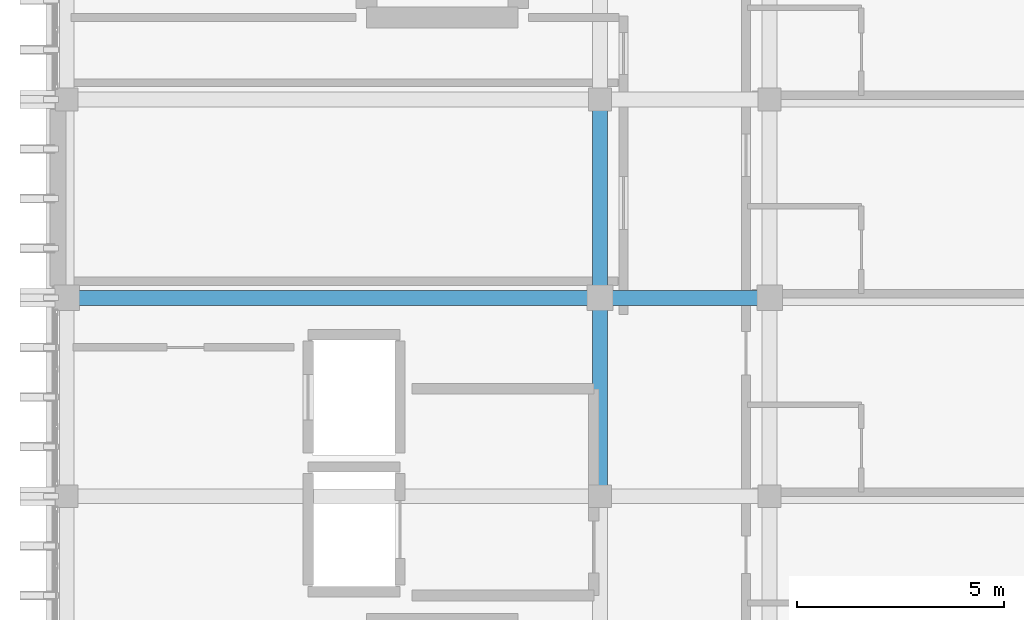
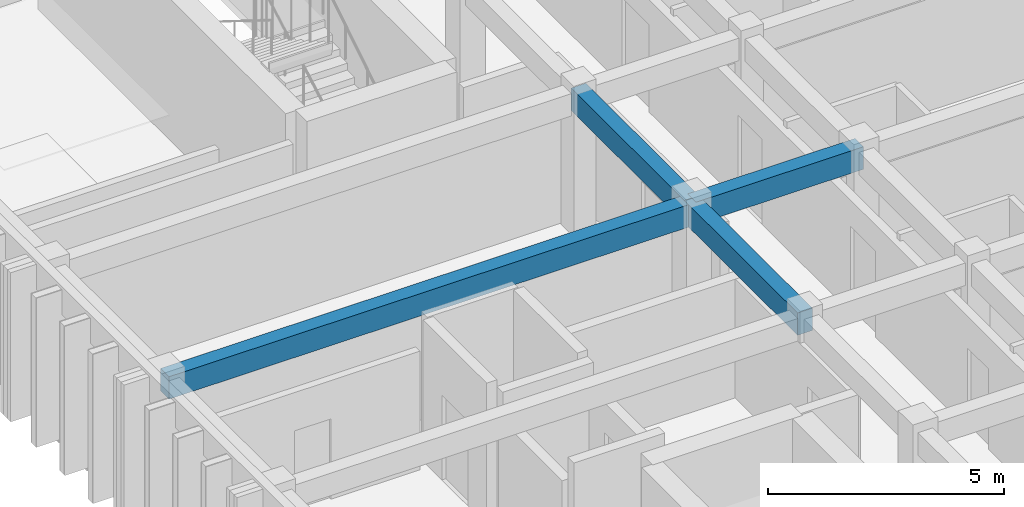
# One storey, part 20 of 50: 4 beams.
"""IFC4 building model written with IfcOpenShell, lengths in metres."""

from ifc_helpers import new_model, si_unit, direction, frame, origin, origin_2d, place, context, subcontext, project, spatial, rectangle, extrude, material, material_profile, profile_set, type_object, element, save


model = new_model("IFC4")

# Units and contexts
model_context = context("Model", 3, precision=1e-05, world=origin(), true_north=direction((0.0, 1.0)))
body_context = subcontext(model_context, "Body", "Model", "MODEL_VIEW")
ifc_project = project(units=[si_unit("LENGTHUNIT", "METRE"), si_unit("AREAUNIT", "SQUARE_METRE"), si_unit("VOLUMEUNIT", "CUBIC_METRE"), si_unit("PLANEANGLEUNIT", "RADIAN"), si_unit("MASSUNIT", "GRAM", prefix="KILO")], contexts=[model_context])

# Site, building, storey
site_placement = place(None, origin())
site = spatial("IfcSite", under=ifc_project, at=site_placement, CompositionType="ELEMENT")
building_placement = place(site_placement, origin())
building = spatial("IfcBuilding", under=site, at=building_placement, Name="Nakhvara Creek Congress Hotel", CompositionType="ELEMENT")
storey_placement = place(building_placement, frame((0.0, 0.0, 42.60009765625)))
storey = spatial("IfcBuildingStorey", under=building, at=storey_placement, Name="L10", CompositionType="ELEMENT", Elevation=42.60009765625)

# Beams
ifc_material = material(Name="Concrete C40/50", Category="concrete")
ifc_material_profile = material_profile(ifc_material, rectangle(XDim=0.360107421875, YDim=0.580078125, at=origin_2d()), Name="RC-BM 360x580", Category="LoadBearing")
ifc_profile_set = profile_set([ifc_material_profile], Name="Concrete C40/50")
beam_type = type_object("IfcBeamType", Name="BM-RC-360X580", PredefinedType="BEAM", material=ifc_profile_set)
beam_1_placement = place(storey_placement, frame((149.449951171875, 96.0, 3.369873046875), z_axis=(1.0, 0.0, 0.0), x_axis=(0.0, 1.0, 0.0)))
element("IfcBeam", 1, at=beam_1_placement, inside=storey, type_object=beam_type, Name="Beam B09-L10-2638", PredefinedType="BEAM", context=body_context, shape_type="SweptSolid", body=[
    extrude(rectangle(XDim=0.360107421875, YDim=0.580078125, at=origin_2d()), origin(), (0.0, 0.0, 1.0), 12.900146484375),
])
beam_2_placement = place(storey_placement, frame((162.35009765625, 96.0, 3.369873046875), z_axis=(1.0, 0.0, 0.0), x_axis=(0.0, 1.0, 0.0)))
element("IfcBeam", 2, at=beam_2_placement, inside=storey, type_object=beam_type, Name="Beam B09-L10-2657", PredefinedType="BEAM", context=body_context, shape_type="SweptSolid", body=[
    extrude(rectangle(XDim=0.360107421875, YDim=0.580078125, at=origin_2d()), origin(), (0.0, 0.0, 1.0), 4.099853515625),
])
for number, where, z_axis, x_axis, name in (
    (3, (162.35009765625, 91.199951171875, 3.369873046875), (0.0, 1.0, 0.0), (-1.0, 0.0, 0.0), "Beam B09-L10-2658"),
    (4, (162.35009765625, 96.0, 3.369873046875), (0.0, 1.0, 0.0), (-1.0, 0.0, 0.0), "Beam B09-L10-2659"),
):
    element("IfcBeam", number, at=place(storey_placement, frame(where, z_axis=z_axis, x_axis=x_axis)), inside=storey, type_object=beam_type, Name=name, PredefinedType="BEAM", context=body_context, shape_type="SweptSolid", body=[
        extrude(rectangle(XDim=0.360107421875, YDim=0.580078125, at=origin_2d()), origin(), (0.0, 0.0, 1.0), 4.800048828125),
    ])

save(model, "model.ifc")
